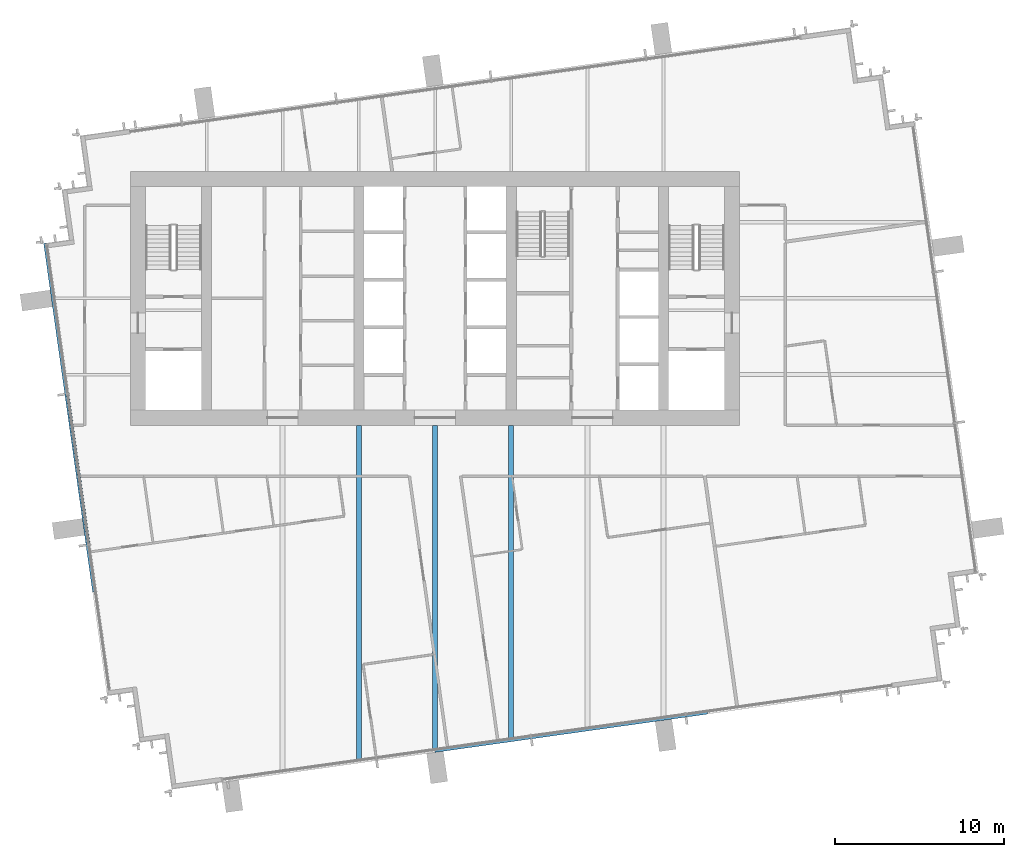
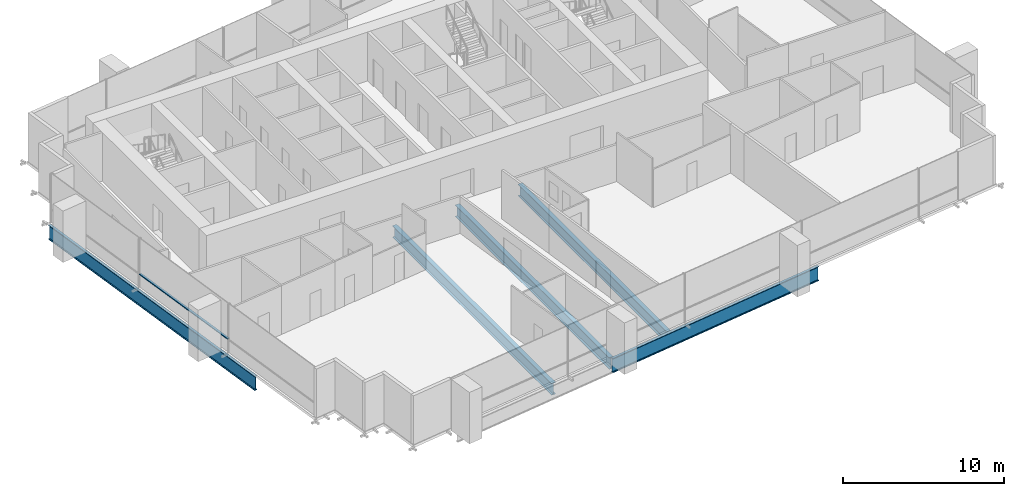
# One storey, part 3 of 14: 5 beams, 1 member, 1 element without a shape of its own.
"""IFC4 building model written with IfcOpenShell, lengths in metres."""

from ifc_helpers import new_model, si_unit, direction, frame, origin, origin_2d, place, context, subcontext, project, spatial, rectangle, i_section, extrude, material, layer, layer_set, material_profile, profile_set, type_object, element, aggregate, save


model = new_model("IFC4")

# Units and contexts
model_context = context("Model", 3, precision=1e-05, world=origin(), true_north=direction((0.0, 1.0)))
body_context = subcontext(model_context, "Body", "Model", "MODEL_VIEW")
ifc_project = project(units=[si_unit("LENGTHUNIT", "METRE"), si_unit("AREAUNIT", "SQUARE_METRE"), si_unit("VOLUMEUNIT", "CUBIC_METRE"), si_unit("PLANEANGLEUNIT", "RADIAN"), si_unit("MASSUNIT", "GRAM", prefix="KILO")], contexts=[model_context])

# Site, building, storey
site_placement = place(None, origin())
site = spatial("IfcSite", under=ifc_project, at=site_placement, CompositionType="ELEMENT")
building_placement = place(site_placement, origin())
building = spatial("IfcBuilding", under=site, at=building_placement, Name="Rattan Terrace Tower", CompositionType="ELEMENT")
storey_placement = place(building_placement, frame((0.0, 0.0, 229.10009765625)))
storey = spatial("IfcBuildingStorey", under=building, at=storey_placement, Name="L52", CompositionType="ELEMENT", Elevation=229.10009765625)

# Beams
ifc_material_1 = material(Name="Steel S460", Category="steel")
ifc_material_profile_1 = material_profile(ifc_material_1, i_section(OverallWidth=0.179931640625, OverallDepth=1.10009765625, WebThickness=0.01611328125, FlangeThickness=0.050048828125, at=origin_2d()), Name="PG 1100x180-16-50")
ifc_profile_set_1 = profile_set([ifc_material_profile_1], Name="Steel S460")
beam_type_1 = type_object("IfcBeamType", Name="Frame edge girder PG 1100x180-16-50", PredefinedType="SPANDREL", material=ifc_profile_set_1)
beam_1_placement = place(storey_placement, frame((16.0859375, -24.472900390625, -0.75), z_axis=(-0.990262693422, -0.139211342989, 0.0), x_axis=(0.139211342989, -0.990262693422, 0.0)))
element("IfcBeam", 1, at=beam_1_placement, inside=storey, type_object=beam_type_1, Name="gdr-L52-002", PredefinedType="SPANDREL", context=body_context, shape_type="SweptSolid", body=[
    extrude(i_section(OverallWidth=0.179931640625, OverallDepth=1.10009765625, WebThickness=0.01611328125, FlangeThickness=0.050048828125, at=origin_2d()), origin(), (0.0, 0.0, 1.0), 16.257080078125),
])
beam_2_placement = place(storey_placement, frame((-20.14111328125, -17.347900390625, -0.75), z_axis=(-0.139141602152, 0.9902724951, 0.0), x_axis=(-0.9902724951, -0.139141602152, 0.0)))
element("IfcBeam", 2, at=beam_2_placement, inside=storey, type_object=beam_type_1, Name="gdr-L52-003", PredefinedType="SPANDREL", context=body_context, shape_type="SweptSolid", body=[
    extrude(i_section(OverallWidth=0.179931640625, OverallDepth=1.10009765625, WebThickness=0.01611328125, FlangeThickness=0.050048828125, at=origin_2d()), origin(), (0.0, 0.0, 1.0), 20.813232421875),
])
ifc_material_2 = material(Name="Steel S355", Category="steel")
ifc_material_profile_2 = material_profile(ifc_material_2, i_section(OverallWidth=0.300048828125, OverallDepth=0.89990234375, WebThickness=0.0185546875, FlangeThickness=0.034912109375, FilletRadius=0.030029296875, at=origin_2d()), Name="HE 900 B")
ifc_profile_set_2 = profile_set([ifc_material_profile_2], Name="Steel S355")
beam_type_2 = type_object("IfcBeamType", Name="Frame floor beam HE 900 B", PredefinedType="JOIST", material=ifc_profile_set_2)
beam_3_placement = place(storey_placement, frame((4.5, -25.989990234375, -0.650146484375), z_axis=(0.0, 1.0, 0.0), x_axis=(-1.0, 0.0, 0.0)))
element("IfcBeam", 3, at=beam_3_placement, inside=storey, type_object=beam_type_2, Name="bm-L52-006", PredefinedType="JOIST", context=body_context, shape_type="SweptSolid", body=[
    extrude(i_section(OverallWidth=0.300048828125, OverallDepth=0.89990234375, WebThickness=0.0185546875, FlangeThickness=0.034912109375, FilletRadius=0.030029296875, at=origin_2d()), origin(), (0.0, 0.0, 1.0), 18.489990234375),
])
ifc_material_3 = material(Name="Steel S460", Category="steel")
ifc_material_profile_3 = material_profile(ifc_material_3, i_section(OverallWidth=0.300048828125, OverallDepth=0.89990234375, WebThickness=0.013916015625, FlangeThickness=0.035888671875, at=origin_2d()), Name="PG 900x300-14-36")
ifc_profile_set_3 = profile_set([ifc_material_profile_3], Name="Steel S460")
beam_type_3 = type_object("IfcBeamType", Name="Frame floor beam PG 900x300-14-36", PredefinedType="JOIST", material=ifc_profile_set_3)
beam_4_placement = place(storey_placement, frame((-4.5, -27.2548828125, -0.650146484375), z_axis=(0.0, 1.0, 0.0), x_axis=(-1.0, 0.0, 0.0)))
element("IfcBeam", 4, at=beam_4_placement, inside=storey, type_object=beam_type_3, Name="bm-L52-004", PredefinedType="JOIST", context=body_context, shape_type="SweptSolid", body=[
    extrude(i_section(OverallWidth=0.300048828125, OverallDepth=0.89990234375, WebThickness=0.013916015625, FlangeThickness=0.035888671875, at=origin_2d()), origin(), (0.0, 0.0, 1.0), 19.7548828125),
])
beam_5_placement = place(storey_placement, frame((0.0, -26.6220703125, -0.650146484375), z_axis=(0.0, 1.0, 0.0), x_axis=(-1.0, 0.0, 0.0)))
element("IfcBeam", 5, at=beam_5_placement, inside=storey, type_object=beam_type_3, Name="bm-L52-005", PredefinedType="JOIST", context=body_context, shape_type="SweptSolid", body=[
    extrude(i_section(OverallWidth=0.300048828125, OverallDepth=0.89990234375, WebThickness=0.013916015625, FlangeThickness=0.035888671875, at=origin_2d()), origin(), (0.0, 0.0, 1.0), 19.1220703125),
])

# Curtain wall, member
ifc_material_4 = material(Name="Aluminium and laminated glass", Category="aluminium")
ifc_layer = layer(ifc_material_4, 0.199951171875)
ifc_layer_set = layer_set([ifc_layer], Name="High-Zone Unitised Curtain Wall")
curtain_wall_type = type_object("IfcCurtainWallType", Name="High-Zone Unitised Curtain Wall", PredefinedType="NOTDEFINED", material=ifc_layer_set)
curtain_wall_placement = place(storey_placement, origin())
curtain_wall = element("IfcCurtainWall", 6, at=curtain_wall_placement, inside=storey, type_object=curtain_wall_type, Name="High-zone curtain wall L52-3", PredefinedType="NOTDEFINED")
ifc_material_5 = material(Name="Aluminium", Category="aluminium")
ifc_material_profile_4 = material_profile(ifc_material_5, rectangle(XDim=0.159912109375, YDim=0.070068359375, at=origin_2d()), Name="Aluminium 160x70")
ifc_profile_set_4 = profile_set([ifc_material_profile_4], Name="Aluminium")
member_type = type_object("IfcMemberType", Name="High-Zone CW Transom 160x70", PredefinedType="USERDEFINED", material=ifc_profile_set_4)
member_placement = place(storey_placement, frame((-21.7001953125, -5.67333984375, 1.0), z_axis=(0.139185713085, -0.990266296141, 0.0), x_axis=(0.990266296141, 0.139185713085, 0.0)))
member = element("IfcMember", 7, at=member_placement, type_object=member_type, Name="Transom cwl-L52-003.2", ObjectType="TRANSOM", PredefinedType="USERDEFINED", context=body_context, shape_type="SweptSolid", body=[
    extrude(rectangle(XDim=0.159912109375, YDim=0.070068359375, at=origin_2d()), origin(), (0.0, 0.0, 1.0), 8.929931640625),
])
aggregate(curtain_wall, [member])

save(model, "model.ifc")
